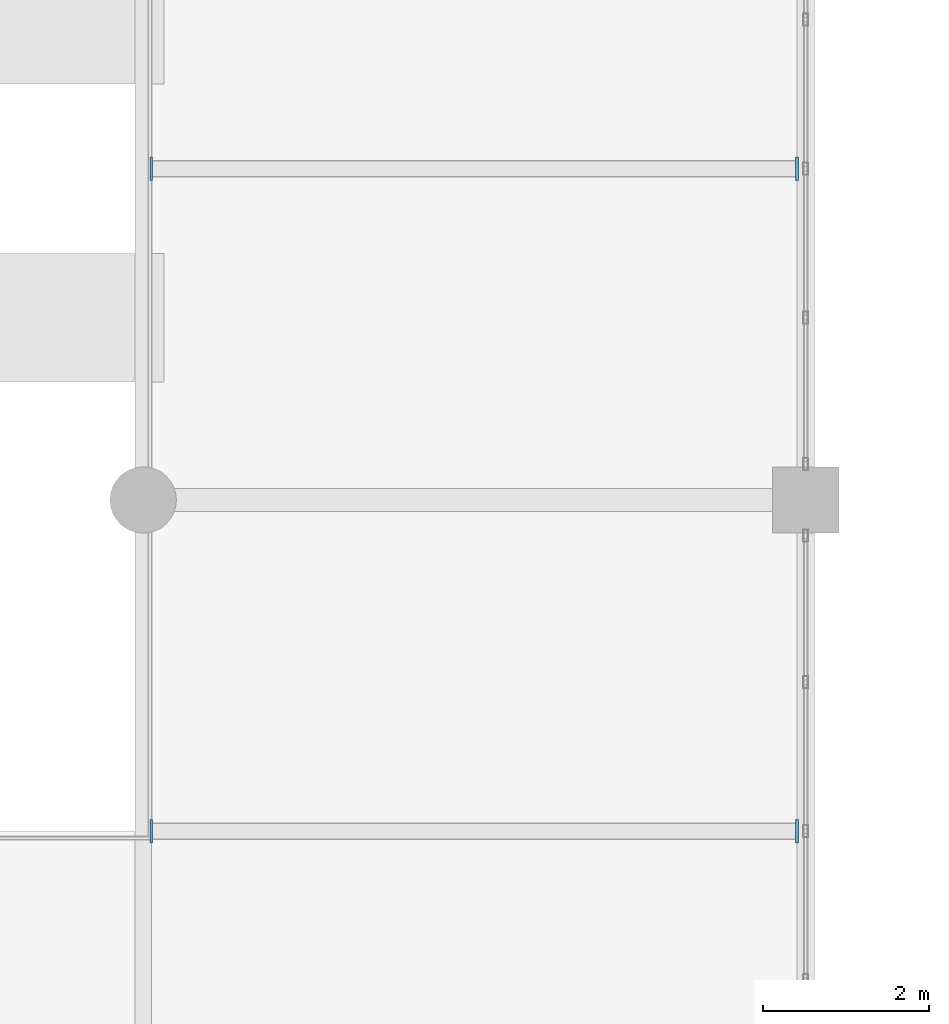
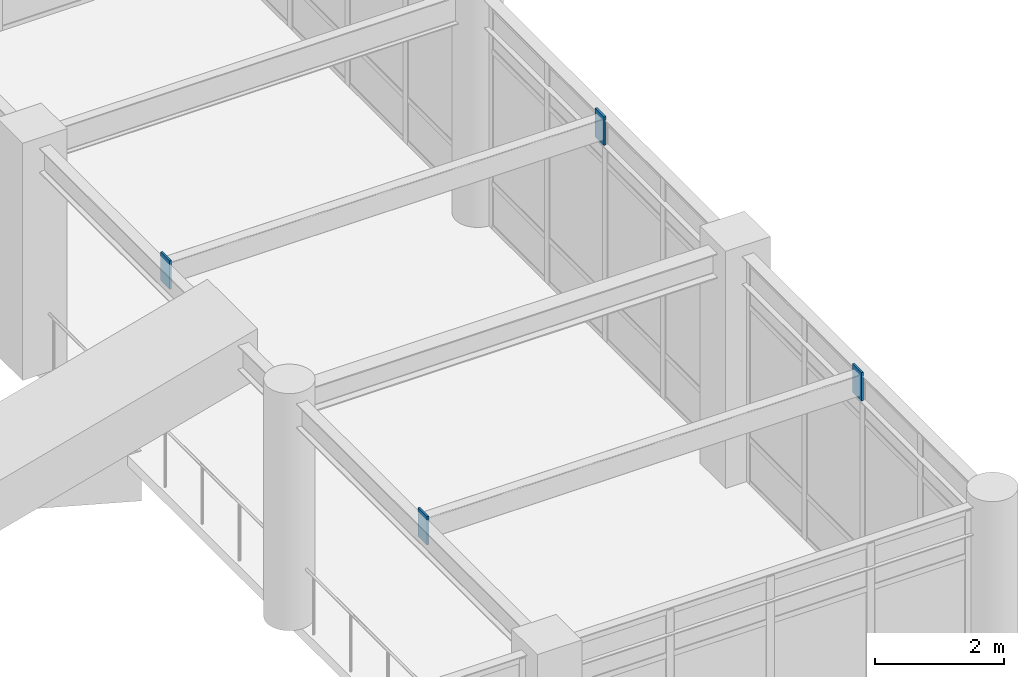
# One storey, part 70 of 93: 4 discrete accessories.
"""IFC4 building model written with IfcOpenShell, lengths in metres."""

from ifc_helpers import new_model, si_unit, direction, frame, origin, origin_2d, place, context, subcontext, project, spatial, rectangle, extrude, material, layer, layer_set, type_object, element, save


model = new_model("IFC4")

# Units and contexts
model_context = context("Model", 3, precision=1e-05, world=origin(), true_north=direction((0.0, 1.0)))
body_context = subcontext(model_context, "Body", "Model", "MODEL_VIEW")
ifc_project = project(units=[si_unit("LENGTHUNIT", "METRE"), si_unit("AREAUNIT", "SQUARE_METRE"), si_unit("VOLUMEUNIT", "CUBIC_METRE"), si_unit("PLANEANGLEUNIT", "RADIAN"), si_unit("MASSUNIT", "GRAM", prefix="KILO")], contexts=[model_context])

# Site, building, storey
site_placement = place(None, origin())
site = spatial("IfcSite", under=ifc_project, at=site_placement, CompositionType="ELEMENT")
building_placement = place(site_placement, origin())
building = spatial("IfcBuilding", under=site, at=building_placement, Name="Solmirada Galleria", CompositionType="ELEMENT")
storey_placement = place(building_placement, frame((0.0, 0.0, 14.89990234375)))
storey = spatial("IfcBuildingStorey", under=building, at=storey_placement, Name="L03", CompositionType="ELEMENT", Elevation=14.89990234375)

# Discrete accessories
ifc_material = material(Name="Steel S355 / ASTM A572 Grade 50", Category="steel")
ifc_layer = layer(ifc_material, 0.031982421875)
ifc_layer_set = layer_set([ifc_layer], Name="Steel S355 / ASTM A572 Grade 50")
discrete_accessory_type = type_object("IfcDiscreteAccessoryType", Name="ACC-COL-CAP", PredefinedType="BRACKET", material=ifc_layer_set)
for number, where, z_axis, x_axis, name in (
    (1, (104.096923828125, 52.0, 3.8271484375), (0.0, 0.0, 1.0), (1.0, 0.0, 0.0), "Hollow joist end plate L04-14-07-L"),
    (2, (111.89501953125, 52.0, 3.8271484375), (0.0, 0.0, 1.0), (1.0, 0.0, 0.0), "Hollow joist end plate L04-14-07-R"),
    (3, (104.096923828125, 60.0, 3.8271484375), (0.0, 0.0, 1.0), (1.0, 0.0, 0.0), "Hollow joist end plate L04-14-08-L"),
    (4, (111.89501953125, 60.0, 3.8271484375), (0.0, 0.0, 1.0), (1.0, 0.0, 0.0), "Hollow joist end plate L04-14-08-R"),
):
    element("IfcDiscreteAccessory", number, at=place(storey_placement, frame(where, z_axis=z_axis, x_axis=x_axis)), inside=storey, type_object=discrete_accessory_type, Name=name, PredefinedType="BRACKET", context=body_context, shape_type="SweptSolid", body=[
        extrude(rectangle(XDim=0.035888671875, YDim=0.280029296875, at=origin_2d()), origin(), (0.0, 0.0, 1.0), 0.5400390625),
    ])

save(model, "model.ifc")
